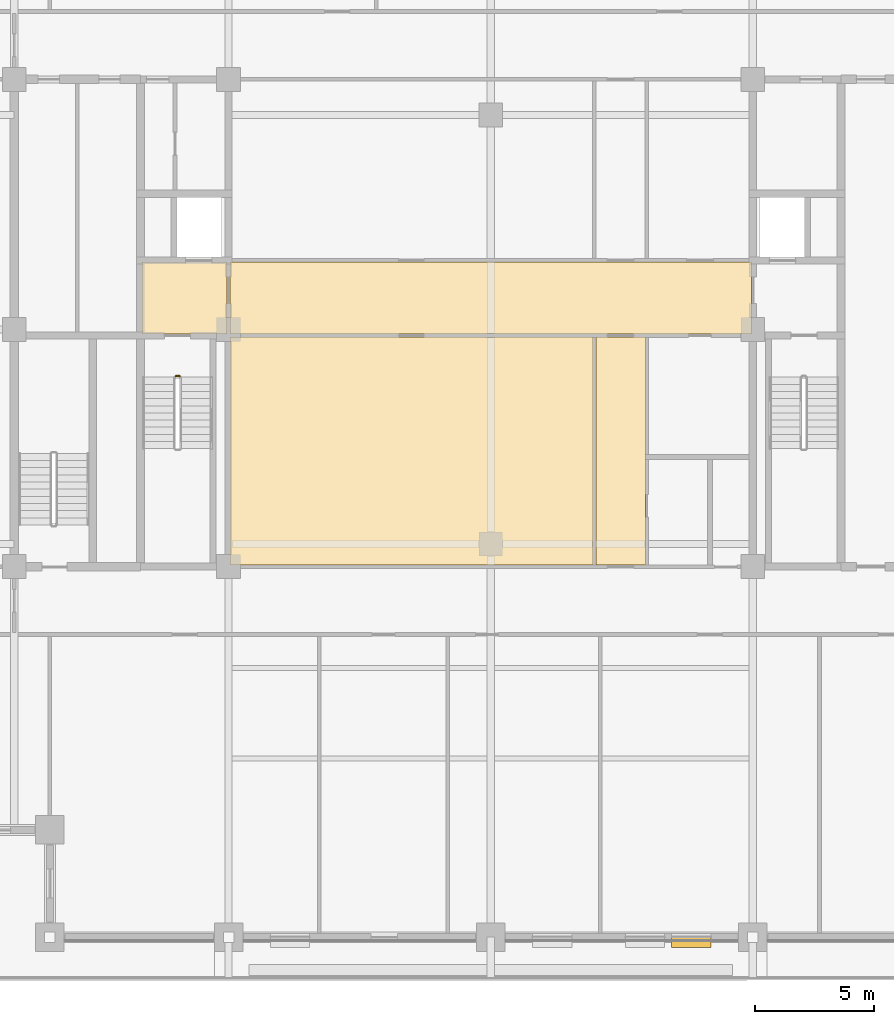
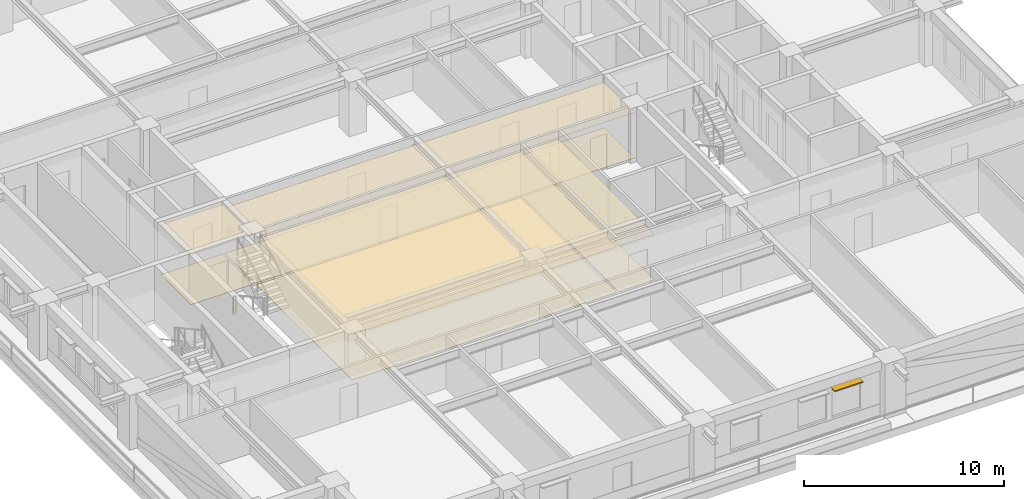
# One storey, part 11 of 13: 8 coverings, 1 railing, 1 shading device.
"""IFC4 building model written with IfcOpenShell, lengths in metres."""

from ifc_helpers import new_model, si_unit, direction, frame, frame_2d, origin, origin_2d, place, context, subcontext, project, spatial, polyline, rectangle, outline, extrude, material, layer, layer_set, type_object, element, save


model = new_model("IFC4")

# Units and contexts
model_context = context("Model", 3, precision=1e-05, world=origin(), true_north=direction((0.0, 1.0)))
body_context = subcontext(model_context, "Body", "Model", "MODEL_VIEW")
ifc_project = project(units=[si_unit("LENGTHUNIT", "METRE"), si_unit("AREAUNIT", "SQUARE_METRE"), si_unit("VOLUMEUNIT", "CUBIC_METRE"), si_unit("PLANEANGLEUNIT", "RADIAN"), si_unit("MASSUNIT", "GRAM", prefix="KILO")], contexts=[model_context])

# Site, building, storey
site_placement = place(None, origin())
site = spatial("IfcSite", under=ifc_project, at=site_placement, CompositionType="ELEMENT")
building_placement = place(site_placement, origin())
building = spatial("IfcBuilding", under=site, at=building_placement, Name="Zulmaris Gate Convention Tower", CompositionType="ELEMENT")
storey_placement = place(building_placement, frame((0.0, 0.0, 109.2099609375)))
storey = spatial("IfcBuildingStorey", under=building, at=storey_placement, Name="L27", CompositionType="ELEMENT", Elevation=109.2099609375)

# Coverings
ifc_material_1 = material(Name="Mineral Fibre Acoustic Ceiling Tile")
ifc_layer_1 = layer(ifc_material_1, 0.02001953125, Name="Mineral Fibre Acoustic Ceiling Tile")
ifc_layer_set_1 = layer_set([ifc_layer_1], Name="Mineral Fibre Acoustic Ceiling Tile")
covering_type_1 = type_object("IfcCoveringType", Name="CLG-ACOUSTIC-600", PredefinedType="CEILING", material=ifc_layer_set_1)
covering_1_placement = place(storey_placement, frame((0.0, 0.0, 3.0400390625)))
element("IfcCovering", 1, at=covering_1_placement, inside=storey, type_object=covering_type_1, Name="CLG-L27-R03", PredefinedType="CEILING", context=body_context, shape_type="SweptSolid", body=[
    extrude(outline(polyline([(-14.639892578125, -0.18994140625), (-11.06005859375, -0.18994140625), (-11.06005859375, 2.840087890625), (-14.639892578125, 2.840087890625), (-14.639892578125, -0.18994140625)])), origin(), (0.0, 0.0, 1.0), 0.02001953125),
])
covering_2_placement = place(storey_placement, frame((0.0, 0.0, 2.778076171875)))
element("IfcCovering", 2, at=covering_2_placement, inside=storey, type_object=covering_type_1, Name="CLG-L27-R30", PredefinedType="CEILING", context=body_context, shape_type="SweptSolid", body=[
    extrude(outline(polyline([(-10.93994140625, -0.18994140625), (10.93994140625, -0.18994140625), (10.93994140625, 2.840087890625), (-10.93994140625, 2.840087890625), (-10.93994140625, -0.18994140625)])), origin(), (0.0, 0.0, 1.0), 0.02001953125),
])
covering_3_placement = place(storey_placement, frame((0.0, 0.0, 2.778076171875)))
element("IfcCovering", 3, at=covering_3_placement, inside=storey, type_object=covering_type_1, Name="CLG-L27-R32", PredefinedType="CEILING", context=body_context, shape_type="SweptSolid", body=[
    extrude(outline(polyline([(4.409912109375, -9.889892578125), (6.489990234375, -9.889892578125), (6.489990234375, -0.31005859375), (4.409912109375, -0.31005859375), (4.409912109375, -9.889892578125)])), origin(), (0.0, 0.0, 1.0), 0.02001953125),
])
covering_4_placement = place(storey_placement, frame((0.0, 0.0, 2.778076171875)))
element("IfcCovering", 4, at=covering_4_placement, inside=storey, type_object=covering_type_1, Name="CLG-L27-R42", PredefinedType="CEILING", context=body_context, shape_type="SweptSolid", body=[
    extrude(outline(polyline([(-10.93994140625, -9.889892578125), (4.2900390625, -9.889892578125), (4.2900390625, -0.31005859375), (-10.93994140625, -0.31005859375), (-10.93994140625, -9.889892578125)])), origin(), (0.0, 0.0, 1.0), 0.02001953125),
])
ifc_material_2 = material(Name="Woven Acoustic Wool Carpet Tile")
ifc_layer_2 = layer(ifc_material_2, 0.02001953125, Name="Woven Acoustic Wool Carpet Tile")
ifc_layer_set_2 = layer_set([ifc_layer_2], Name="Woven Acoustic Wool Carpet Tile")
covering_type_2 = type_object("IfcCoveringType", Name="FLR-CARPET-12", PredefinedType="FLOORING", material=ifc_layer_set_2)
covering_5_placement = place(storey_placement, origin())
element("IfcCovering", 5, at=covering_5_placement, inside=storey, type_object=covering_type_2, Name="FLR-L27-R03", PredefinedType="FLOORING", context=body_context, shape_type="SweptSolid", body=[
    extrude(outline(polyline([(-14.639892578125, -0.18994140625), (-11.06005859375, -0.18994140625), (-11.06005859375, 2.840087890625), (-14.639892578125, 2.840087890625), (-14.639892578125, -0.18994140625)])), origin(), (0.0, 0.0, 1.0), 0.02001953125),
])
covering_6_placement = place(storey_placement, origin())
element("IfcCovering", 6, at=covering_6_placement, inside=storey, type_object=covering_type_2, Name="FLR-L27-R30", PredefinedType="FLOORING", context=body_context, shape_type="SweptSolid", body=[
    extrude(outline(polyline([(-10.93994140625, -0.18994140625), (10.93994140625, -0.18994140625), (10.93994140625, 2.840087890625), (-10.93994140625, 2.840087890625), (-10.93994140625, -0.18994140625)])), origin(), (0.0, 0.0, 1.0), 0.02001953125),
])
covering_7_placement = place(storey_placement, origin())
element("IfcCovering", 7, at=covering_7_placement, inside=storey, type_object=covering_type_2, Name="FLR-L27-R32", PredefinedType="FLOORING", context=body_context, shape_type="SweptSolid", body=[
    extrude(outline(polyline([(4.409912109375, -9.889892578125), (6.489990234375, -9.889892578125), (6.489990234375, -0.31005859375), (4.409912109375, -0.31005859375), (4.409912109375, -9.889892578125)])), origin(), (0.0, 0.0, 1.0), 0.02001953125),
])
covering_8_placement = place(storey_placement, origin())
element("IfcCovering", 8, at=covering_8_placement, inside=storey, type_object=covering_type_2, Name="FLR-L27-R42", PredefinedType="FLOORING", context=body_context, shape_type="SweptSolid", body=[
    extrude(outline(polyline([(-10.93994140625, -9.889892578125), (4.2900390625, -9.889892578125), (4.2900390625, -0.31005859375), (-10.93994140625, -0.31005859375), (-10.93994140625, -9.889892578125)])), origin(), (0.0, 0.0, 1.0), 0.02001953125),
])

# Railing
ifc_material_3 = material(Name="Painted Galvanised Steel", Category="steel")
railing_type = type_object("IfcRailingType", Name="RL-STG-1150", PredefinedType="GUARDRAIL", material=ifc_material_3)
railing_placement = place(storey_placement, frame((-13.219970703125, -1.949951171875, 0.0)))
element("IfcRailing", 9, at=railing_placement, inside=storey, type_object=railing_type, Name="L27 ST-1 stair guard 4", PredefinedType="GUARDRAIL", context=body_context, shape_type="SweptSolid", body=[
    extrude(rectangle(XDim=0.048095703125, YDim=0.048095703125, at=origin_2d()), frame((0.0, 0.0, 1.076171875), z_axis=(1.0, 0.0, 0.0), x_axis=(0.0, 1.0, 0.0)), (0.0, 0.0, 1.0), 0.159912109375),
    extrude(rectangle(XDim=0.0419921875, YDim=0.0419921875, at=origin_2d()), origin(), (0.0, 0.0, 1.0), 1.052001953125),
    extrude(rectangle(XDim=0.0419921875, YDim=0.0419921875, at=origin_2d()), frame((0.159912109375, 0.0, 0.0)), (0.0, 0.0, 1.0), 1.052001953125),
])

# Shading device
ifc_material_4 = material(Name="Glazed Ceramic Terracotta", Category="masonry")
ifc_layer_3 = layer(ifc_material_4, 0.070068359375, Name="Glazed Ceramic Terracotta")
ifc_layer_set_3 = layer_set([ifc_layer_3], Name="Glazed Ceramic Terracotta")
shading_device_type = type_object("IfcShadingDeviceType", Name="SHD-SUNSHADE-TC", PredefinedType="AWNING", material=ifc_layer_set_3)
shading_device_placement = place(storey_placement, frame((7.596923828125, -25.719970703125, 2.530029296875), z_axis=(0.0, 0.0, 1.0), x_axis=(1.0, 0.0, 0.0)))
element("IfcShadingDevice", 10, at=shading_device_placement, inside=storey, type_object=shading_device_type, Name="SHD-EW-L27-S-2_0-4", PredefinedType="AWNING", context=body_context, shape_type="SweptSolid", body=[
    extrude(rectangle(XDim=1.650146484375, YDim=0.43994140625, at=frame_2d((0.8251953125, 0.0))), origin(), (0.0, 0.0, 1.0), 0.070068359375),
])

save(model, "model.ifc")
